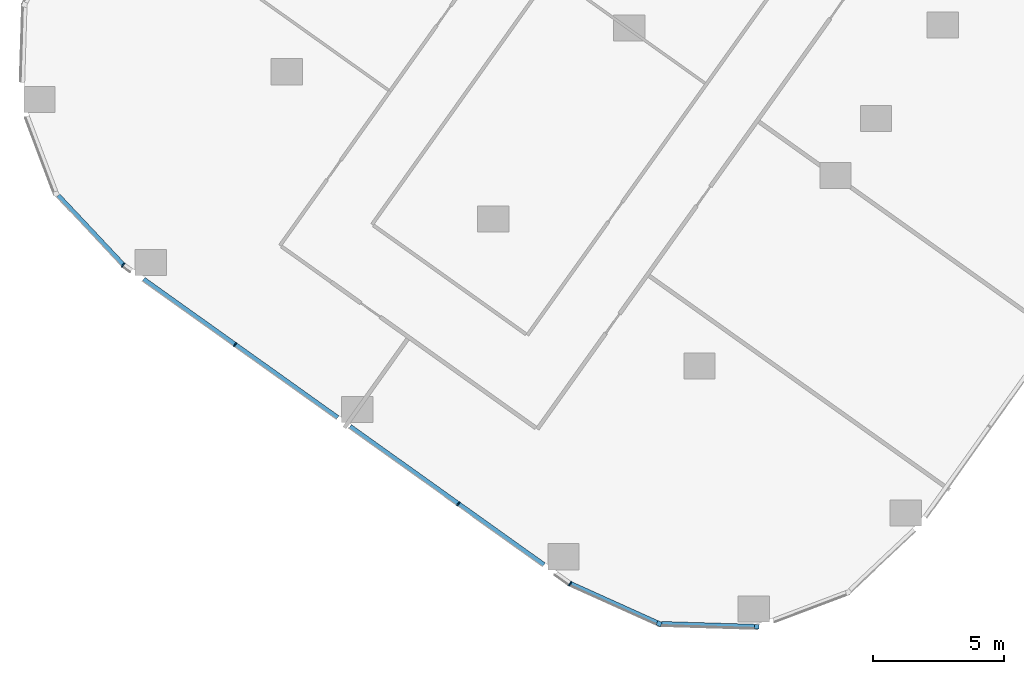
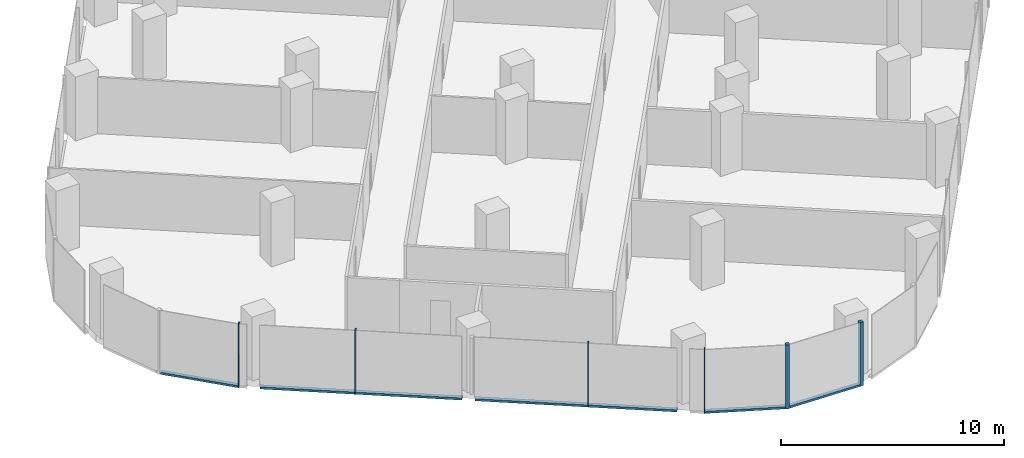
# One storey, part 2 of 31: 11 members, 4 elements without a shape of their own.
"""IFC4 building model written with IfcOpenShell, lengths in metres."""

from ifc_helpers import new_model, si_unit, direction, frame, origin, origin_2d, place, context, subcontext, project, spatial, rectangle, extrude, material, material_profile, profile_set, type_object, element, aggregate, save


model = new_model("IFC4")

# Units and contexts
model_context = context("Model", 3, precision=1e-05, world=origin(), true_north=direction((0.0, 1.0)))
body_context = subcontext(model_context, "Body", "Model", "MODEL_VIEW")
ifc_project = project(units=[si_unit("LENGTHUNIT", "METRE"), si_unit("AREAUNIT", "SQUARE_METRE"), si_unit("VOLUMEUNIT", "CUBIC_METRE"), si_unit("PLANEANGLEUNIT", "RADIAN"), si_unit("MASSUNIT", "GRAM", prefix="KILO")], contexts=[model_context])

# Site, building, storey
site_placement = place(None, origin())
site = spatial("IfcSite", under=ifc_project, at=site_placement, CompositionType="ELEMENT")
building_placement = place(site_placement, origin())
building = spatial("IfcBuilding", under=site, at=building_placement, Name="Orlundy Tower", CompositionType="ELEMENT")
storey_placement = place(building_placement, frame((0.0, 0.0, 84.199951171875)))
storey = spatial("IfcBuildingStorey", under=building, at=storey_placement, Name="L20", CompositionType="ELEMENT", Elevation=84.199951171875)

# Curtain wall, member
ifc_material_1 = material(Name="Aluminium bronze anodised", Category="aluminium")
curtain_wall_type = type_object("IfcCurtainWallType", Name="CW1 wall", PredefinedType="NOTDEFINED", material=ifc_material_1)
curtain_wall_1_placement = place(storey_placement, origin())
curtain_wall_1 = element("IfcCurtainWall", 1, at=curtain_wall_1_placement, inside=storey, type_object=curtain_wall_type, Name="CW1 run 021", PredefinedType="NOTDEFINED")
ifc_material_2 = material(Name="Aluminium bronze anodised", Category="aluminium")
ifc_material_profile_1 = material_profile(ifc_material_2, rectangle(XDim=0.179931640625, YDim=0.179931640625, at=origin_2d()), Name="CW1 corner post 180x180")
ifc_profile_set_1 = profile_set([ifc_material_profile_1], Name="Aluminium bronze anodised")
member_type_1 = type_object("IfcMemberType", Name="CW1 corner post 180x180", PredefinedType="MULLION", material=ifc_profile_set_1)
member_1_placement = place(storey_placement, frame((-19.48486328125, -57.077392578125, -0.39990234375), z_axis=(0.0, 0.0, 1.0), x_axis=(-0.030485149754, -0.999535219812, 0.0)))
member_1 = element("IfcMember", 2, at=member_1_placement, type_object=member_type_1, Name="CW1 mullion 59", PredefinedType="MULLION", context=body_context, shape_type="SweptSolid", body=[
    extrude(rectangle(XDim=0.179931640625, YDim=0.179931640625, at=origin_2d()), origin(), (0.0, 0.0, 1.0), 3.5),
])

curtain_wall_2_placement = place(storey_placement, origin())
curtain_wall_2 = element("IfcCurtainWall", 3, at=curtain_wall_2_placement, inside=storey, type_object=curtain_wall_type, Name="CW1 run 022", PredefinedType="NOTDEFINED")
member_2_placement = place(storey_placement, frame((-23.2255859375, -56.96337890625, -0.39990234375), z_axis=(0.0, 0.0, 1.0), x_axis=(-0.410914311157, -0.911673970719, 0.0)))
member_2 = element("IfcMember", 4, at=member_2_placement, type_object=member_type_1, Name="CW1 mullion 60", PredefinedType="MULLION", context=body_context, shape_type="SweptSolid", body=[
    extrude(rectangle(XDim=0.179931640625, YDim=0.179931640625, at=origin_2d()), origin(), (0.0, 0.0, 1.0), 3.5),
])

# Curtain wall, members
curtain_wall_3_placement = place(storey_placement, origin())
curtain_wall_3 = element("IfcCurtainWall", 5, at=curtain_wall_3_placement, inside=storey, type_object=curtain_wall_type, Name="CW1 run 023", PredefinedType="NOTDEFINED")
ifc_material_3 = material(Name="Aluminium bronze anodised", Category="aluminium")
ifc_material_profile_2 = material_profile(ifc_material_3, rectangle(XDim=0.179931640625, YDim=0.050048828125, at=origin_2d()), Name="CW1 mullion 50x180")
ifc_profile_set_2 = profile_set([ifc_material_profile_2], Name="Aluminium bronze anodised")
member_type_2 = type_object("IfcMemberType", Name="CW1 mullion 50x180", PredefinedType="MULLION", material=ifc_profile_set_2)
member_3_placement = place(storey_placement, frame((-26.629150390625, -55.429443359375, -0.39990234375), z_axis=(0.0, 0.0, 1.0), x_axis=(-0.498182691768, -0.867072087905, 0.0)))
member_3 = element("IfcMember", 6, at=member_3_placement, type_object=member_type_2, Name="CW1 mullion 61", PredefinedType="MULLION", context=body_context, shape_type="SweptSolid", body=[
    extrude(rectangle(XDim=0.179931640625, YDim=0.050048828125, at=origin_2d()), origin(), (0.0, 0.0, 1.0), 3.5),
])
member_4_placement = place(storey_placement, frame((-30.910400390625, -52.375732421875, -0.39990234375), z_axis=(0.0, 0.0, 1.0), x_axis=(-0.580665978686, -0.814141892545, 0.0)))
member_4 = element("IfcMember", 7, at=member_4_placement, type_object=member_type_2, Name="CW1 mullion 62", PredefinedType="MULLION", context=body_context, shape_type="SweptSolid", body=[
    extrude(rectangle(XDim=0.179931640625, YDim=0.050048828125, at=origin_2d()), origin(), (0.0, 0.0, 1.0), 3.5),
])
member_5_placement = place(storey_placement, frame((-39.458984375, -46.27880859375, -0.39990234375), z_axis=(0.0, 0.0, 1.0), x_axis=(-0.580665978686, -0.814141892545, 0.0)))
member_5 = element("IfcMember", 8, at=member_5_placement, type_object=member_type_2, Name="CW1 mullion 64", PredefinedType="MULLION", context=body_context, shape_type="SweptSolid", body=[
    extrude(rectangle(XDim=0.179931640625, YDim=0.050048828125, at=origin_2d()), origin(), (0.0, 0.0, 1.0), 3.5),
])

# Curtain wall, member
curtain_wall_4_placement = place(storey_placement, origin())
curtain_wall_4 = element("IfcCurtainWall", 9, at=curtain_wall_4_placement, inside=storey, type_object=curtain_wall_type, Name="CW1 run 024", PredefinedType="NOTDEFINED")
member_6_placement = place(storey_placement, frame((-43.740478515625, -43.22509765625, -0.39990234375), z_axis=(0.0, 0.0, 1.0), x_axis=(-0.65767995209, -0.753297471534, 0.0)))
member_6 = element("IfcMember", 10, at=member_6_placement, type_object=member_type_2, Name="CW1 mullion 65", PredefinedType="MULLION", context=body_context, shape_type="SweptSolid", body=[
    extrude(rectangle(XDim=0.179931640625, YDim=0.050048828125, at=origin_2d()), origin(), (0.0, 0.0, 1.0), 3.5),
])

# Member
ifc_material_4 = material(Name="Aluminium bronze anodised", Category="aluminium")
ifc_material_profile_3 = material_profile(ifc_material_4, rectangle(XDim=0.179931640625, YDim=0.1201171875, at=origin_2d()), Name="CW1 transom 180x120")
ifc_profile_set_3 = profile_set([ifc_material_profile_3], Name="Aluminium bronze anodised")
member_type_3 = type_object("IfcMemberType", Name="CW1 transom 180x120", PredefinedType="USERDEFINED", material=ifc_profile_set_3)
member_7_placement = place(storey_placement, frame((-19.57470703125, -57.07470703125, -0.33984375), z_axis=(-0.999535047536, 0.03049079774, 0.0), x_axis=(-0.03049079774, -0.999535047536, 0.0)))
member_7 = element("IfcMember", 11, at=member_7_placement, type_object=member_type_3, Name="CW1 transom", ObjectType="TRANSOM", PredefinedType="USERDEFINED", context=body_context, shape_type="SweptSolid", body=[
    extrude(rectangle(XDim=0.179931640625, YDim=0.1201171875, at=origin_2d()), origin(), (0.0, 0.0, 1.0), 3.55517578125),
])

aggregate(curtain_wall_1, [member_1, member_7])

member_8_placement = place(storey_placement, frame((-23.3076171875, -56.926513671875, -0.33984375), z_axis=(-0.911667559509, 0.410928535076, 0.0), x_axis=(-0.410928535076, -0.911667559509, 0.0)))
member_8 = element("IfcMember", 12, at=member_8_placement, type_object=member_type_3, Name="CW1 transom", ObjectType="TRANSOM", PredefinedType="USERDEFINED", context=body_context, shape_type="SweptSolid", body=[
    extrude(rectangle(XDim=0.179931640625, YDim=0.1201171875, at=origin_2d()), origin(), (0.0, 0.0, 1.0), 3.6181640625),
])

aggregate(curtain_wall_2, [member_2, member_8])

member_9_placement = place(storey_placement, frame((-27.636962890625, -54.71044921875, -0.33984375), z_axis=(-0.814145758742, 0.580660557919, 0.0), x_axis=(-0.580660557919, -0.814145758742, 0.0)))
member_9 = element("IfcMember", 13, at=member_9_placement, type_object=member_type_3, Name="CW1 transom", ObjectType="TRANSOM", PredefinedType="USERDEFINED", context=body_context, shape_type="SweptSolid", body=[
    extrude(rectangle(XDim=0.179931640625, YDim=0.1201171875, at=origin_2d()), origin(), (0.0, 0.0, 1.0), 9.117919921875),
])

member_10_placement = place(storey_placement, frame((-35.533935546875, -49.078125, -0.33984375), z_axis=(-0.814143896454, 0.580663169029, 0.0), x_axis=(-0.580663169029, -0.814143896454, 0.0)))
member_10 = element("IfcMember", 14, at=member_10_placement, type_object=member_type_3, Name="CW1 transom", ObjectType="TRANSOM", PredefinedType="USERDEFINED", context=body_context, shape_type="SweptSolid", body=[
    extrude(rectangle(XDim=0.179931640625, YDim=0.1201171875, at=origin_2d()), origin(), (0.0, 0.0, 1.0), 9.119140625),
])

aggregate(curtain_wall_3, [member_3, member_4, member_5, member_9, member_10])

member_11_placement = place(storey_placement, frame((-43.7578125, -43.206787109375, -0.33984375), z_axis=(-0.68521073511, 0.7283448692, 0.0), x_axis=(-0.7283448692, -0.68521073511, 0.0)))
member_11 = element("IfcMember", 15, at=member_11_placement, type_object=member_type_3, Name="CW1 transom", ObjectType="TRANSOM", PredefinedType="USERDEFINED", context=body_context, shape_type="SweptSolid", body=[
    extrude(rectangle(XDim=0.179931640625, YDim=0.1201171875, at=origin_2d()), origin(), (0.0, 0.0, 1.0), 3.611083984375),
])

aggregate(curtain_wall_4, [member_6, member_11])

save(model, "model.ifc")
